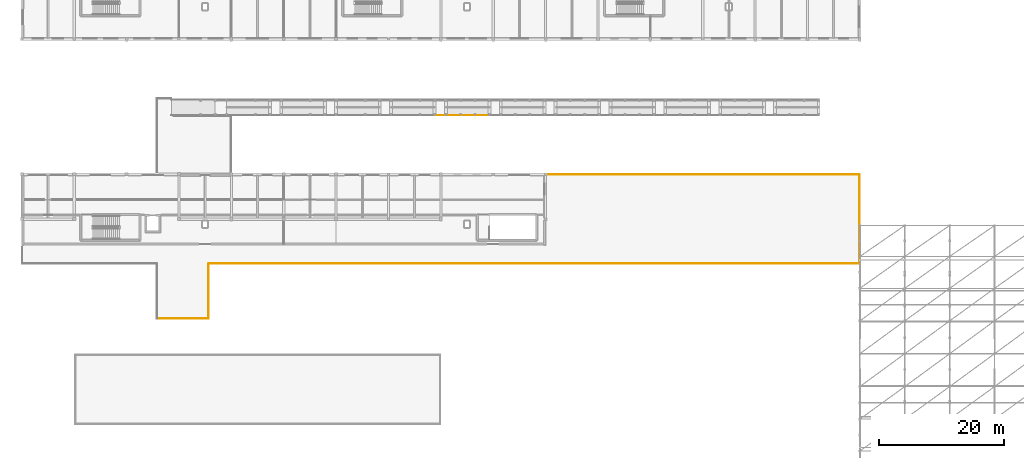
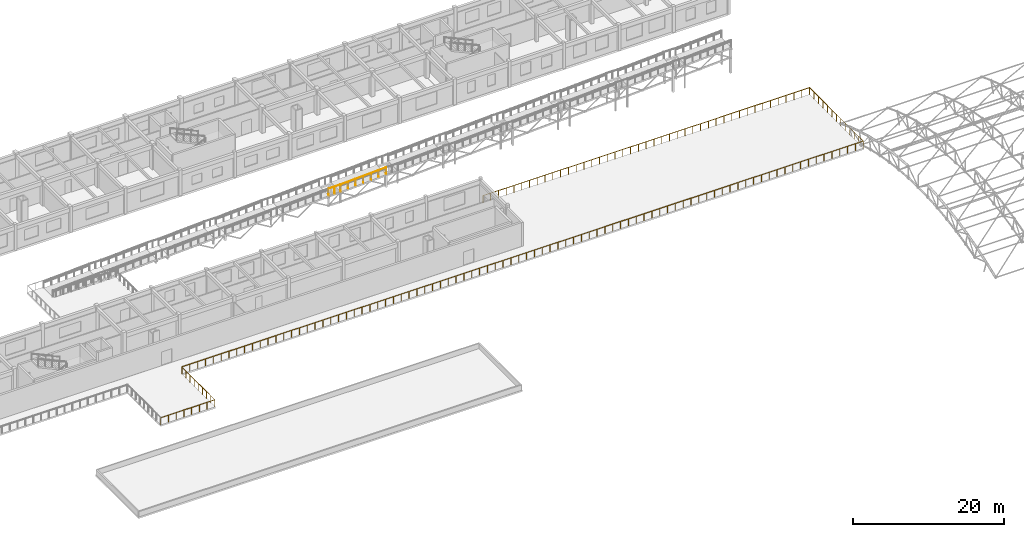
# One storey, part 37 of 41: 3 railings.
"""IFC4 building model written with IfcOpenShell, lengths in metres."""

import ifcopenshell
import ifcopenshell.guid

model = None  # the IFC model being written
_history = None  # IfcOwnerHistory: only IFC2X3 demands one
_inside = {}  # id of a spatial element -> (the spatial element, [elements in it])
_under = {}  # id of a project, library or spatial element -> (it, [spatial elements below it])
_declared = {}  # id of a project -> (the project, [libraries it declares])
_typed = {}  # id of a type object -> (the type object, [elements of that type])
_made_of = {}  # id of a material, layer set ... -> (it, [elements and type objects made of it])


def new_model(schema):
    """Start an empty IFC model of exactly this schema.

    Asked for "IFC4X3", IfcOpenShell would pick the latest addendum, in which some entities
    have other attributes; the version numbers below select the first issue.
    IFC2X3 requires an IfcOwnerHistory on every rooted entity: one is made here for all.
    """
    global model, _history
    if schema == "IFC4X3":
        model = ifcopenshell.file(schema_version=(4, 3, 0, 0))
    else:
        model = ifcopenshell.file(schema=schema)
    _inside.clear()
    _under.clear()
    _declared.clear()
    _typed.clear()
    _made_of.clear()
    _history = None
    if model.schema == "IFC2X3":
        org = make("IfcOrganization", Name="unknown")
        user = make(
            "IfcPersonAndOrganization",
            ThePerson=make("IfcPerson", FamilyName="unknown"),
            TheOrganization=org,
        )
        app = make(
            "IfcApplication",
            ApplicationDeveloper=org,
            Version="unknown",
            ApplicationFullName="unknown",
            ApplicationIdentifier="unknown",
        )
        _history = make(
            "IfcOwnerHistory",
            OwningUser=user,
            OwningApplication=app,
            ChangeAction="ADDED",
            CreationDate=0,
        )
    return model


def make(cls, **values):
    """One entity of the class cls with the attributes given. An attribute that is None is left unset."""
    return model.create_entity(
        cls, **{name: value for name, value in values.items() if value is not None}
    )


def rooted(cls, **values):
    """An entity with a GlobalId (a new one), such as an element, a storey or a relation."""
    return make(cls, GlobalId=ifcopenshell.guid.new(), OwnerHistory=_history, **values)


def si_unit(unit_type, name, prefix=None):
    """IfcSIUnit, for example si_unit("LENGTHUNIT", "METRE", prefix="MILLI")."""
    return make("IfcSIUnit", UnitType=unit_type, Prefix=prefix, Name=name)


def assignment(units):
    """IfcUnitAssignment: the units of a project."""
    return None if units is None else make("IfcUnitAssignment", Units=units)


def point(xyz):
    """IfcCartesianPoint."""
    return None if xyz is None else make("IfcCartesianPoint", Coordinates=xyz)


def direction(xyz):
    """IfcDirection."""
    return None if xyz is None else make("IfcDirection", DirectionRatios=xyz)


def frame(location, z_axis=None, x_axis=None):
    """IfcAxis2Placement3D, a coordinate frame: its origin and axes. An axis left out is left unset."""
    return make(
        "IfcAxis2Placement3D",
        Location=point(location),
        Axis=direction(z_axis),
        RefDirection=direction(x_axis),
    )


def frame_2d(location, x_axis=None):
    """IfcAxis2Placement2D, a coordinate frame in the plane: its origin and x axis."""
    return make(
        "IfcAxis2Placement2D", Location=point(location), RefDirection=direction(x_axis)
    )


def origin():
    """The frame at (0, 0, 0) with its axes left unset."""
    return frame((0.0, 0.0, 0.0))


def origin_2d():
    """The frame at (0, 0) in the plane with its x axis left unset."""
    return frame_2d((0.0, 0.0))


def place(relative_to, where):
    """IfcLocalPlacement: puts the frame where relative to a parent placement (None: the world)."""
    return make(
        "IfcLocalPlacement", PlacementRelTo=relative_to, RelativePlacement=where
    )


def context(
    kind, dimensions, precision=None, world=None, true_north=None, identifier=None
):
    """IfcGeometricRepresentationContext, for example the 3D "Model" context."""
    return make(
        "IfcGeometricRepresentationContext",
        ContextIdentifier=identifier,
        ContextType=kind,
        CoordinateSpaceDimension=dimensions,
        Precision=precision,
        WorldCoordinateSystem=world,
        TrueNorth=true_north,
    )


def subcontext(parent, identifier, kind, view, scale=None):
    """IfcGeometricRepresentationSubContext, for example "Body" below "Model"."""
    return make(
        "IfcGeometricRepresentationSubContext",
        ContextIdentifier=identifier,
        ContextType=kind,
        ParentContext=parent,
        TargetScale=scale,
        TargetView=view,
    )


def project(units=None, contexts=None):
    """IfcProject with its units and contexts."""
    return rooted(
        "IfcProject",
        Name="project",
        RepresentationContexts=contexts,
        UnitsInContext=assignment(units),
    )


def spatial(cls, under=None, at=None, **own):
    """A site, building, storey or space (cls), placed at a placement, below another one or the project."""
    s = rooted(cls, ObjectPlacement=at, **own)
    if under is not None:
        _under.setdefault(under.id(), (under, []))[1].append(s)
    return s


def profile(cls, at=None, kind="AREA", **sizes):
    """A parametric profile (cls). Its sizes go by their IFC names, for example OverallWidth=200.0."""
    return make(cls, ProfileType=kind, Position=at, **sizes)


def circle(**sizes):
    """IfcCircleProfileDef."""
    return profile("IfcCircleProfileDef", **sizes)


def extrude(swept, where, along, depth):
    """IfcExtrudedAreaSolid: the profile swept, set in the frame where, extruded along a direction by depth."""
    return make(
        "IfcExtrudedAreaSolid",
        SweptArea=swept,
        Position=where,
        ExtrudedDirection=direction(along),
        Depth=depth,
    )


def shape(context_of_items, identifier, shape_type, items):
    """IfcShapeRepresentation: the items that make up one representation, for example the "Body"."""
    return make(
        "IfcShapeRepresentation",
        ContextOfItems=context_of_items,
        RepresentationIdentifier=identifier,
        RepresentationType=shape_type,
        Items=items,
    )


def material(Name=None, Category=None):
    """IfcMaterial."""
    return make("IfcMaterial", Name=Name, Category=Category)


def layer(
    of_material, thickness, ventilated=None, Name=None, Category=None, Priority=None
):
    """IfcMaterialLayer: one layer of a wall or slab, of a material (None: an air gap)."""
    return make(
        "IfcMaterialLayer",
        Material=of_material,
        LayerThickness=thickness,
        IsVentilated=ventilated,
        Name=Name,
        Category=Category,
        Priority=Priority,
    )


def layer_set(layers, Name=None):
    """IfcMaterialLayerSet."""
    return make("IfcMaterialLayerSet", MaterialLayers=layers, LayerSetName=Name)


def made_of(thing, what):
    """Note that an element or type object is made of a material, layer set ...; save() writes the relation."""
    if what is not None:
        _made_of.setdefault(what.id(), (what, []))[1].append(thing)
    return thing


def type_object(cls, material=None, **own):
    """A type object (cls), such as IfcWallType, which elements share."""
    return made_of(rooted(cls, **own), material)


def element(
    cls,
    number,
    at=None,
    inside=None,
    cuts=None,
    type_object=None,
    material=None,
    context=None,
    identifier="Body",
    shape_type=None,
    held_by="IfcProductDefinitionShape",
    body=None,
    shapes=None,
    **own,
):
    """One element of the class cls, such as IfcWall. Its Tag is "e" and its number.

    at: its placement. inside: the storey or other place that contains it. cuts: it is an
    opening in that element (IfcRelVoidsElement). A single representation is given by context,
    identifier, shape_type and body (its items); several are given by shapes. held_by: the class
    of the entity that holds the representations. save() writes the other relations.
    """
    e = rooted(cls, Tag="e%d" % number, ObjectPlacement=at, **own)
    if body is not None:
        shapes = [shape(context, identifier, shape_type, body)]
    if shapes is not None:
        e.Representation = make(held_by, Representations=shapes)
    if inside is not None:
        _inside.setdefault(inside.id(), (inside, []))[1].append(e)
    if cuts is not None:
        rooted(
            "IfcRelVoidsElement", RelatingBuildingElement=cuts, RelatedOpeningElement=e
        )
    if type_object is not None:
        _typed.setdefault(type_object.id(), (type_object, []))[1].append(e)
    return made_of(e, material)


def aggregate(whole, parts):
    """IfcRelAggregates: a whole, such as a stair, and the parts it consists of."""
    return rooted("IfcRelAggregates", RelatingObject=whole, RelatedObjects=parts)


def save(model, path):
    """Write the relations noted so far, then the file.

    IfcRelAggregates (storeys below a building ...), IfcRelContainedInSpatialStructure (elements
    in a storey), IfcRelDefinesByType, IfcRelAssociatesMaterial and IfcRelDeclares: one each for
    every whole, place, type object, material and project.
    """
    for whole, parts in _under.values():
        aggregate(whole, parts)
    for where, things in _inside.values():
        rooted(
            "IfcRelContainedInSpatialStructure",
            RelatedElements=things,
            RelatingStructure=where,
        )
    for kind, things in _typed.values():
        rooted("IfcRelDefinesByType", RelatedObjects=things, RelatingType=kind)
    for what, things in _made_of.values():
        rooted("IfcRelAssociatesMaterial", RelatedObjects=things, RelatingMaterial=what)
    for by, libraries in _declared.values():
        rooted("IfcRelDeclares", RelatingContext=by, RelatedDefinitions=libraries)
    model.write(path)


model = new_model("IFC4")

# Units and contexts
model_context = context("Model", 3, precision=1e-05, world=origin(), true_north=direction((0.0, 1.0)))
body_context = subcontext(model_context, "Body", "Model", "MODEL_VIEW")
ifc_project = project(units=[si_unit("LENGTHUNIT", "METRE"), si_unit("AREAUNIT", "SQUARE_METRE"), si_unit("VOLUMEUNIT", "CUBIC_METRE"), si_unit("PLANEANGLEUNIT", "RADIAN"), si_unit("MASSUNIT", "GRAM", prefix="KILO")], contexts=[model_context])

# Site, building, storey
site_placement = place(None, origin())
site = spatial("IfcSite", under=ifc_project, at=site_placement, CompositionType="ELEMENT")
building_placement = place(site_placement, origin())
building = spatial("IfcBuilding", under=site, at=building_placement, Name="Malvenik Polytechnic", CompositionType="ELEMENT")
storey_placement = place(building_placement, frame((0.0, 0.0, 17.699951171875)))
storey = spatial("IfcBuildingStorey", under=building, at=storey_placement, Name="L04", CompositionType="ELEMENT", Elevation=17.699951171875)

# Railings
ifc_material = material(Name="Galvanised powder-coated steel and laminated glass guard 1150mm", Category="steel")
ifc_layer = layer(ifc_material, 0.070068359375)
ifc_layer_set = layer_set([ifc_layer], Name="Galvanised powder-coated steel and laminated glass guard 1150mm")
railing_type = type_object("IfcRailingType", Name="ARC-RL-BAL-1150", PredefinedType="BALUSTRADE", material=ifc_layer_set)
railing_1_placement = place(storey_placement, frame((66.199951171875, 103.06005859375, 1.75)))
element("IfcRailing", 1, at=railing_1_placement, inside=storey, type_object=railing_type, Name="Ramp Landing Balustrade RB-03 #5S", PredefinedType="BALUSTRADE", context=body_context, shape_type="SweptSolid", body=[
    extrude(circle(Radius=0.02392578125, at=origin_2d()), frame((0.0, 0.0, 1.1259765625), z_axis=(1.0, 0.0, 0.0), x_axis=(0.0, 1.0, 0.0)), (0.0, 0.0, 1.0), 1.800048828125),
    extrude(circle(Radius=0.02099609375, at=origin_2d()), origin(), (0.0, 0.0, 1.0), 1.101806640625),
    extrude(circle(Radius=0.02099609375, at=origin_2d()), frame((0.89990234375, 0.0, 0.0)), (0.0, 0.0, 1.0), 1.101806640625),
    extrude(circle(Radius=0.02099609375, at=origin_2d()), frame((1.800048828125, 0.0, 0.0)), (0.0, 0.0, 1.0), 1.101806640625),
])
railing_2_placement = place(storey_placement, frame((68.0, 103.06005859375, 1.75)))
element("IfcRailing", 2, at=railing_2_placement, inside=storey, type_object=railing_type, Name="Ramp Balustrade RB-03 #6S", PredefinedType="BALUSTRADE", context=body_context, shape_type="SweptSolid", body=[
    extrude(circle(Radius=0.02392578125, at=origin_2d()), frame((0.0, 0.0, 1.1259765625), z_axis=(0.998751643845, 0.0, 0.049951515669), x_axis=(0.0, 1.0, 0.0)), (0.0, 0.0, 1.0), 7.0087890625),
    extrude(circle(Radius=0.02099609375, at=origin_2d()), origin(), (0.0, 0.0, 1.0), 1.101806640625),
    extrude(circle(Radius=0.02099609375, at=origin_2d()), frame((1.166748046875, 0.0, 0.058349609375)), (0.0, 0.0, 1.0), 1.101806640625),
    extrude(circle(Radius=0.02099609375, at=origin_2d()), frame((2.333251953125, 0.0, 0.11669921875)), (0.0, 0.0, 1.0), 1.101806640625),
    extrude(circle(Radius=0.02099609375, at=origin_2d()), frame((3.5, 0.0, 0.175048828125)), (0.0, 0.0, 1.0), 1.101806640625),
    extrude(circle(Radius=0.02099609375, at=origin_2d()), frame((4.666748046875, 0.0, 0.2333984375)), (0.0, 0.0, 1.0), 1.101806640625),
    extrude(circle(Radius=0.02099609375, at=origin_2d()), frame((5.833251953125, 0.0, 0.291748046875)), (0.0, 0.0, 1.0), 1.101806640625),
    extrude(circle(Radius=0.02099609375, at=origin_2d()), frame((7.0, 0.0, 0.35009765625)), (0.0, 0.0, 1.0), 1.101806640625),
])
railing_3_placement = place(storey_placement, frame((84.320068359375, 93.5400390625, 0.0)))
element("IfcRailing", 3, at=railing_3_placement, inside=storey, type_object=railing_type, Name="Terrace Perimeter Balustrade L04 #17", PredefinedType="BALUSTRADE", context=body_context, shape_type="SweptSolid", body=[
    extrude(circle(Radius=0.02392578125, at=origin_2d()), frame((0.0, 0.0, 1.1259765625), z_axis=(1.0, 0.0, 0.0), x_axis=(0.0, 1.0, 0.0)), (0.0, 0.0, 1.0), 50.02001953125),
    extrude(circle(Radius=0.02392578125, at=origin_2d()), frame((50.02001953125, 0.0, 1.1259765625), z_axis=(0.0, -1.0, 0.0), x_axis=(1.0, 0.0, 0.0)), (0.0, 0.0, 1.0), 14.280029296875),
    extrude(circle(Radius=0.02392578125, at=origin_2d()), frame((50.02001953125, -14.280029296875, 1.1259765625), z_axis=(-1.0, 0.0, 0.0), x_axis=(0.0, -1.0, 0.0)), (0.0, 0.0, 1.0), 104.340087890625),
    extrude(circle(Radius=0.02392578125, at=origin_2d()), frame((-54.320068359375, -14.280029296875, 1.1259765625), z_axis=(-0.999133073092, -0.041630544712, 0.0), x_axis=(0.041630544712, -0.999133073092, 0.0)), (0.0, 0.0, 1.0), 0.005859375),
    extrude(circle(Radius=0.02392578125, at=origin_2d()), frame((-54.325927734375, -14.2802734375, 1.1259765625), z_axis=(-0.986393923832, -0.164398987305, 0.0), x_axis=(0.164398987305, -0.986393923832, 0.0)), (0.0, 0.0, 1.0), 0.005859375),
    extrude(circle(Radius=0.02392578125, at=origin_2d()), frame((-54.331787109375, -14.28125, 1.1259765625), z_axis=(-0.967617272397, -0.252421897147, 0.0), x_axis=(0.252421897147, -0.967617272397, 0.0)), (0.0, 0.0, 1.0), 0.005859375),
    extrude(circle(Radius=0.02392578125, at=origin_2d()), frame((-54.33740234375, -14.28271484375, 1.1259765625), z_axis=(-0.944496796706, -0.328520624941, 0.0), x_axis=(0.328520624941, -0.944496796706, 0.0)), (0.0, 0.0, 1.0), 0.005859375),
    extrude(circle(Radius=0.02392578125, at=origin_2d()), frame((-54.343017578125, -14.28466796875, 1.1259765625), z_axis=(-0.910366477463, -0.413802944301, 0.0), x_axis=(0.413802944301, -0.910366477463, 0.0)), (0.0, 0.0, 1.0), 0.005859375),
    extrude(circle(Radius=0.02392578125, at=origin_2d()), frame((-54.348388671875, -14.287109375, 1.1259765625), z_axis=(-0.857492925713, -0.514495755428, 0.0), x_axis=(0.514495755428, -0.857492925713, 0.0)), (0.0, 0.0, 1.0), 0.005615234375),
    extrude(circle(Radius=0.02392578125, at=origin_2d()), frame((-54.353271484375, -14.2900390625, 1.1259765625), z_axis=(-0.8, -0.6, 0.0), x_axis=(0.6, -0.8, 0.0)), (0.0, 0.0, 1.0), 0.006103515625),
    extrude(circle(Radius=0.02392578125, at=origin_2d()), frame((-54.358154296875, -14.293701171875, 1.1259765625), z_axis=(-0.747409318684, -0.66436383883, 0.0), x_axis=(0.66436383883, -0.747409318684, 0.0)), (0.0, 0.0, 1.0), 0.005859375),
    extrude(circle(Radius=0.02392578125, at=origin_2d()), frame((-54.362548828125, -14.297607421875, 1.1259765625), z_axis=(-0.66436383883, -0.747409318684, 0.0), x_axis=(0.747409318684, -0.66436383883, 0.0)), (0.0, 0.0, 1.0), 0.005859375),
    extrude(circle(Radius=0.02392578125, at=origin_2d()), frame((-54.366455078125, -14.302001953125, 1.1259765625), z_axis=(-0.59319903805, -0.805055837353, 0.0), x_axis=(0.805055837353, -0.59319903805, 0.0)), (0.0, 0.0, 1.0), 0.005859375),
    extrude(circle(Radius=0.02392578125, at=origin_2d()), frame((-54.369873046875, -14.306640625, 1.1259765625), z_axis=(-0.526354614616, -0.850265146688, 0.0), x_axis=(0.850265146688, -0.526354614616, 0.0)), (0.0, 0.0, 1.0), 0.006103515625),
    extrude(circle(Radius=0.02392578125, at=origin_2d()), frame((-54.373046875, -14.311767578125, 1.1259765625), z_axis=(-0.413802944301, -0.910366477463, 0.0), x_axis=(0.910366477463, -0.413802944301, 0.0)), (0.0, 0.0, 1.0), 0.005859375),
    extrude(circle(Radius=0.02392578125, at=origin_2d()), frame((-54.37548828125, -14.317138671875, 1.1259765625), z_axis=(-0.328520624941, -0.944496796706, 0.0), x_axis=(0.944496796706, -0.328520624941, 0.0)), (0.0, 0.0, 1.0), 0.005859375),
    extrude(circle(Radius=0.02392578125, at=origin_2d()), frame((-54.37744140625, -14.32275390625, 1.1259765625), z_axis=(-0.252421897147, -0.967617272397, 0.0), x_axis=(0.967617272397, -0.252421897147, 0.0)), (0.0, 0.0, 1.0), 0.005859375),
    extrude(circle(Radius=0.02392578125, at=origin_2d()), frame((-54.37890625, -14.328369140625, 1.1259765625), z_axis=(-0.164398987305, -0.986393923832, 0.0), x_axis=(0.986393923832, -0.164398987305, 0.0)), (0.0, 0.0, 1.0), 0.005859375),
    extrude(circle(Radius=0.02392578125, at=origin_2d()), frame((-54.3798828125, -14.334228515625, 1.1259765625), z_axis=(-0.041630544712, -0.999133073092, 0.0), x_axis=(0.999133073092, -0.041630544712, 0.0)), (0.0, 0.0, 1.0), 0.005859375),
    extrude(circle(Radius=0.02392578125, at=origin_2d()), frame((-54.380126953125, -14.340087890625, 1.1259765625), z_axis=(0.0, -1.0, 0.0), x_axis=(1.0, 0.0, 0.0)), (0.0, 0.0, 1.0), 8.739990234375),
    extrude(circle(Radius=0.02392578125, at=origin_2d()), frame((-54.380126953125, -23.080078125, 1.1259765625), z_axis=(-1.0, 0.0, 0.0), x_axis=(0.0, -1.0, 0.0)), (0.0, 0.0, 1.0), 8.280029296875),
    extrude(circle(Radius=0.02099609375, at=origin_2d()), origin(), (0.0, 0.0, 1.0), 1.101806640625),
    extrude(circle(Radius=0.02099609375, at=origin_2d()), frame((1.19091796875, 0.0, 0.0)), (0.0, 0.0, 1.0), 1.101806640625),
    extrude(circle(Radius=0.02099609375, at=origin_2d()), frame((2.3818359375, 0.0, 0.0)), (0.0, 0.0, 1.0), 1.101806640625),
    extrude(circle(Radius=0.02099609375, at=origin_2d()), frame((3.57275390625, 0.0, 0.0)), (0.0, 0.0, 1.0), 1.101806640625),
    extrude(circle(Radius=0.02099609375, at=origin_2d()), frame((4.763916015625, 0.0, 0.0)), (0.0, 0.0, 1.0), 1.101806640625),
    extrude(circle(Radius=0.02099609375, at=origin_2d()), frame((5.954833984375, 0.0, 0.0)), (0.0, 0.0, 1.0), 1.101806640625),
    extrude(circle(Radius=0.02099609375, at=origin_2d()), frame((7.145751953125, 0.0, 0.0)), (0.0, 0.0, 1.0), 1.101806640625),
    extrude(circle(Radius=0.02099609375, at=origin_2d()), frame((8.336669921875, 0.0, 0.0)), (0.0, 0.0, 1.0), 1.101806640625),
    extrude(circle(Radius=0.02099609375, at=origin_2d()), frame((9.527587890625, 0.0, 0.0)), (0.0, 0.0, 1.0), 1.101806640625),
    extrude(circle(Radius=0.02099609375, at=origin_2d()), frame((10.718505859375, 0.0, 0.0)), (0.0, 0.0, 1.0), 1.101806640625),
    extrude(circle(Radius=0.02099609375, at=origin_2d()), frame((11.909423828125, 0.0, 0.0)), (0.0, 0.0, 1.0), 1.101806640625),
    extrude(circle(Radius=0.02099609375, at=origin_2d()), frame((13.1005859375, 0.0, 0.0)), (0.0, 0.0, 1.0), 1.101806640625),
    extrude(circle(Radius=0.02099609375, at=origin_2d()), frame((14.29150390625, 0.0, 0.0)), (0.0, 0.0, 1.0), 1.101806640625),
    extrude(circle(Radius=0.02099609375, at=origin_2d()), frame((15.482421875, 0.0, 0.0)), (0.0, 0.0, 1.0), 1.101806640625),
    extrude(circle(Radius=0.02099609375, at=origin_2d()), frame((16.67333984375, 0.0, 0.0)), (0.0, 0.0, 1.0), 1.101806640625),
    extrude(circle(Radius=0.02099609375, at=origin_2d()), frame((17.8642578125, 0.0, 0.0)), (0.0, 0.0, 1.0), 1.101806640625),
    extrude(circle(Radius=0.02099609375, at=origin_2d()), frame((19.05517578125, 0.0, 0.0)), (0.0, 0.0, 1.0), 1.101806640625),
    extrude(circle(Radius=0.02099609375, at=origin_2d()), frame((20.24609375, 0.0, 0.0)), (0.0, 0.0, 1.0), 1.101806640625),
    extrude(circle(Radius=0.02099609375, at=origin_2d()), frame((21.437255859375, 0.0, 0.0)), (0.0, 0.0, 1.0), 1.101806640625),
    extrude(circle(Radius=0.02099609375, at=origin_2d()), frame((22.628173828125, 0.0, 0.0)), (0.0, 0.0, 1.0), 1.101806640625),
    extrude(circle(Radius=0.02099609375, at=origin_2d()), frame((23.819091796875, 0.0, 0.0)), (0.0, 0.0, 1.0), 1.101806640625),
    extrude(circle(Radius=0.02099609375, at=origin_2d()), frame((25.010009765625, 0.0, 0.0)), (0.0, 0.0, 1.0), 1.101806640625),
    extrude(circle(Radius=0.02099609375, at=origin_2d()), frame((26.200927734375, 0.0, 0.0)), (0.0, 0.0, 1.0), 1.101806640625),
    extrude(circle(Radius=0.02099609375, at=origin_2d()), frame((27.391845703125, 0.0, 0.0)), (0.0, 0.0, 1.0), 1.101806640625),
    extrude(circle(Radius=0.02099609375, at=origin_2d()), frame((28.582763671875, 0.0, 0.0)), (0.0, 0.0, 1.0), 1.101806640625),
    extrude(circle(Radius=0.02099609375, at=origin_2d()), frame((29.77392578125, 0.0, 0.0)), (0.0, 0.0, 1.0), 1.101806640625),
    extrude(circle(Radius=0.02099609375, at=origin_2d()), frame((30.96484375, 0.0, 0.0)), (0.0, 0.0, 1.0), 1.101806640625),
    extrude(circle(Radius=0.02099609375, at=origin_2d()), frame((32.15576171875, 0.0, 0.0)), (0.0, 0.0, 1.0), 1.101806640625),
    extrude(circle(Radius=0.02099609375, at=origin_2d()), frame((33.3466796875, 0.0, 0.0)), (0.0, 0.0, 1.0), 1.101806640625),
    extrude(circle(Radius=0.02099609375, at=origin_2d()), frame((34.53759765625, 0.0, 0.0)), (0.0, 0.0, 1.0), 1.101806640625),
    extrude(circle(Radius=0.02099609375, at=origin_2d()), frame((35.728515625, 0.0, 0.0)), (0.0, 0.0, 1.0), 1.101806640625),
    extrude(circle(Radius=0.02099609375, at=origin_2d()), frame((36.91943359375, 0.0, 0.0)), (0.0, 0.0, 1.0), 1.101806640625),
    extrude(circle(Radius=0.02099609375, at=origin_2d()), frame((38.110595703125, 0.0, 0.0)), (0.0, 0.0, 1.0), 1.101806640625),
    extrude(circle(Radius=0.02099609375, at=origin_2d()), frame((39.301513671875, 0.0, 0.0)), (0.0, 0.0, 1.0), 1.101806640625),
    extrude(circle(Radius=0.02099609375, at=origin_2d()), frame((40.492431640625, 0.0, 0.0)), (0.0, 0.0, 1.0), 1.101806640625),
    extrude(circle(Radius=0.02099609375, at=origin_2d()), frame((41.683349609375, 0.0, 0.0)), (0.0, 0.0, 1.0), 1.101806640625),
    extrude(circle(Radius=0.02099609375, at=origin_2d()), frame((42.874267578125, 0.0, 0.0)), (0.0, 0.0, 1.0), 1.101806640625),
    extrude(circle(Radius=0.02099609375, at=origin_2d()), frame((44.065185546875, 0.0, 0.0)), (0.0, 0.0, 1.0), 1.101806640625),
    extrude(circle(Radius=0.02099609375, at=origin_2d()), frame((45.256103515625, 0.0, 0.0)), (0.0, 0.0, 1.0), 1.101806640625),
    extrude(circle(Radius=0.02099609375, at=origin_2d()), frame((46.447265625, 0.0, 0.0)), (0.0, 0.0, 1.0), 1.101806640625),
    extrude(circle(Radius=0.02099609375, at=origin_2d()), frame((47.63818359375, 0.0, 0.0)), (0.0, 0.0, 1.0), 1.101806640625),
    extrude(circle(Radius=0.02099609375, at=origin_2d()), frame((48.8291015625, 0.0, 0.0)), (0.0, 0.0, 1.0), 1.101806640625),
    extrude(circle(Radius=0.02099609375, at=origin_2d()), frame((50.02001953125, 0.0, 0.0)), (0.0, 0.0, 1.0), 1.101806640625),
    extrude(circle(Radius=0.02099609375, at=origin_2d()), frame((50.02001953125, -1.18994140625, 0.0)), (0.0, 0.0, 1.0), 1.101806640625),
    extrude(circle(Radius=0.02099609375, at=origin_2d()), frame((50.02001953125, -2.3798828125, 0.0)), (0.0, 0.0, 1.0), 1.101806640625),
    extrude(circle(Radius=0.02099609375, at=origin_2d()), frame((50.02001953125, -3.570068359375, 0.0)), (0.0, 0.0, 1.0), 1.101806640625),
    extrude(circle(Radius=0.02099609375, at=origin_2d()), frame((50.02001953125, -4.760009765625, 0.0)), (0.0, 0.0, 1.0), 1.101806640625),
    extrude(circle(Radius=0.02099609375, at=origin_2d()), frame((50.02001953125, -5.949951171875, 0.0)), (0.0, 0.0, 1.0), 1.101806640625),
    extrude(circle(Radius=0.02099609375, at=origin_2d()), frame((50.02001953125, -7.14013671875, 0.0)), (0.0, 0.0, 1.0), 1.101806640625),
    extrude(circle(Radius=0.02099609375, at=origin_2d()), frame((50.02001953125, -8.330078125, 0.0)), (0.0, 0.0, 1.0), 1.101806640625),
    extrude(circle(Radius=0.02099609375, at=origin_2d()), frame((50.02001953125, -9.52001953125, 0.0)), (0.0, 0.0, 1.0), 1.101806640625),
    extrude(circle(Radius=0.02099609375, at=origin_2d()), frame((50.02001953125, -10.7099609375, 0.0)), (0.0, 0.0, 1.0), 1.101806640625),
    extrude(circle(Radius=0.02099609375, at=origin_2d()), frame((50.02001953125, -11.89990234375, 0.0)), (0.0, 0.0, 1.0), 1.101806640625),
    extrude(circle(Radius=0.02099609375, at=origin_2d()), frame((50.02001953125, -13.090087890625, 0.0)), (0.0, 0.0, 1.0), 1.101806640625),
    extrude(circle(Radius=0.02099609375, at=origin_2d()), frame((50.02001953125, -14.280029296875, 0.0)), (0.0, 0.0, 1.0), 1.101806640625),
    extrude(circle(Radius=0.02099609375, at=origin_2d()), frame((48.82080078125, -14.280029296875, 0.0)), (0.0, 0.0, 1.0), 1.101806640625),
    extrude(circle(Radius=0.02099609375, at=origin_2d()), frame((47.621337890625, -14.280029296875, 0.0)), (0.0, 0.0, 1.0), 1.101806640625),
    extrude(circle(Radius=0.02099609375, at=origin_2d()), frame((46.422119140625, -14.280029296875, 0.0)), (0.0, 0.0, 1.0), 1.101806640625),
    extrude(circle(Radius=0.02099609375, at=origin_2d()), frame((45.22265625, -14.280029296875, 0.0)), (0.0, 0.0, 1.0), 1.101806640625),
    extrude(circle(Radius=0.02099609375, at=origin_2d()), frame((44.0234375, -14.280029296875, 0.0)), (0.0, 0.0, 1.0), 1.101806640625),
    extrude(circle(Radius=0.02099609375, at=origin_2d()), frame((42.82421875, -14.280029296875, 0.0)), (0.0, 0.0, 1.0), 1.101806640625),
    extrude(circle(Radius=0.02099609375, at=origin_2d()), frame((41.624755859375, -14.280029296875, 0.0)), (0.0, 0.0, 1.0), 1.101806640625),
    extrude(circle(Radius=0.02099609375, at=origin_2d()), frame((40.425537109375, -14.280029296875, 0.0)), (0.0, 0.0, 1.0), 1.101806640625),
    extrude(circle(Radius=0.02099609375, at=origin_2d()), frame((39.226318359375, -14.280029296875, 0.0)), (0.0, 0.0, 1.0), 1.101806640625),
    extrude(circle(Radius=0.02099609375, at=origin_2d()), frame((38.02685546875, -14.280029296875, 0.0)), (0.0, 0.0, 1.0), 1.101806640625),
    extrude(circle(Radius=0.02099609375, at=origin_2d()), frame((36.82763671875, -14.280029296875, 0.0)), (0.0, 0.0, 1.0), 1.101806640625),
    extrude(circle(Radius=0.02099609375, at=origin_2d()), frame((35.628173828125, -14.280029296875, 0.0)), (0.0, 0.0, 1.0), 1.101806640625),
    extrude(circle(Radius=0.02099609375, at=origin_2d()), frame((34.428955078125, -14.280029296875, 0.0)), (0.0, 0.0, 1.0), 1.101806640625),
    extrude(circle(Radius=0.02099609375, at=origin_2d()), frame((33.229736328125, -14.280029296875, 0.0)), (0.0, 0.0, 1.0), 1.101806640625),
    extrude(circle(Radius=0.02099609375, at=origin_2d()), frame((32.0302734375, -14.280029296875, 0.0)), (0.0, 0.0, 1.0), 1.101806640625),
    extrude(circle(Radius=0.02099609375, at=origin_2d()), frame((30.8310546875, -14.280029296875, 0.0)), (0.0, 0.0, 1.0), 1.101806640625),
    extrude(circle(Radius=0.02099609375, at=origin_2d()), frame((29.6318359375, -14.280029296875, 0.0)), (0.0, 0.0, 1.0), 1.101806640625),
    extrude(circle(Radius=0.02099609375, at=origin_2d()), frame((28.432373046875, -14.280029296875, 0.0)), (0.0, 0.0, 1.0), 1.101806640625),
    extrude(circle(Radius=0.02099609375, at=origin_2d()), frame((27.233154296875, -14.280029296875, 0.0)), (0.0, 0.0, 1.0), 1.101806640625),
    extrude(circle(Radius=0.02099609375, at=origin_2d()), frame((26.03369140625, -14.280029296875, 0.0)), (0.0, 0.0, 1.0), 1.101806640625),
    extrude(circle(Radius=0.02099609375, at=origin_2d()), frame((24.83447265625, -14.280029296875, 0.0)), (0.0, 0.0, 1.0), 1.101806640625),
    extrude(circle(Radius=0.02099609375, at=origin_2d()), frame((23.63525390625, -14.280029296875, 0.0)), (0.0, 0.0, 1.0), 1.101806640625),
    extrude(circle(Radius=0.02099609375, at=origin_2d()), frame((22.435791015625, -14.280029296875, 0.0)), (0.0, 0.0, 1.0), 1.101806640625),
    extrude(circle(Radius=0.02099609375, at=origin_2d()), frame((21.236572265625, -14.280029296875, 0.0)), (0.0, 0.0, 1.0), 1.101806640625),
    extrude(circle(Radius=0.02099609375, at=origin_2d()), frame((20.037353515625, -14.280029296875, 0.0)), (0.0, 0.0, 1.0), 1.101806640625),
    extrude(circle(Radius=0.02099609375, at=origin_2d()), frame((18.837890625, -14.280029296875, 0.0)), (0.0, 0.0, 1.0), 1.101806640625),
    extrude(circle(Radius=0.02099609375, at=origin_2d()), frame((17.638671875, -14.280029296875, 0.0)), (0.0, 0.0, 1.0), 1.101806640625),
    extrude(circle(Radius=0.02099609375, at=origin_2d()), frame((16.439208984375, -14.280029296875, 0.0)), (0.0, 0.0, 1.0), 1.101806640625),
    extrude(circle(Radius=0.02099609375, at=origin_2d()), frame((15.239990234375, -14.280029296875, 0.0)), (0.0, 0.0, 1.0), 1.101806640625),
    extrude(circle(Radius=0.02099609375, at=origin_2d()), frame((14.040771484375, -14.280029296875, 0.0)), (0.0, 0.0, 1.0), 1.101806640625),
    extrude(circle(Radius=0.02099609375, at=origin_2d()), frame((12.84130859375, -14.280029296875, 0.0)), (0.0, 0.0, 1.0), 1.101806640625),
    extrude(circle(Radius=0.02099609375, at=origin_2d()), frame((11.64208984375, -14.280029296875, 0.0)), (0.0, 0.0, 1.0), 1.101806640625),
    extrude(circle(Radius=0.02099609375, at=origin_2d()), frame((10.442626953125, -14.280029296875, 0.0)), (0.0, 0.0, 1.0), 1.101806640625),
    extrude(circle(Radius=0.02099609375, at=origin_2d()), frame((9.243408203125, -14.280029296875, 0.0)), (0.0, 0.0, 1.0), 1.101806640625),
    extrude(circle(Radius=0.02099609375, at=origin_2d()), frame((8.044189453125, -14.280029296875, 0.0)), (0.0, 0.0, 1.0), 1.101806640625),
    extrude(circle(Radius=0.02099609375, at=origin_2d()), frame((6.8447265625, -14.280029296875, 0.0)), (0.0, 0.0, 1.0), 1.101806640625),
    extrude(circle(Radius=0.02099609375, at=origin_2d()), frame((5.6455078125, -14.280029296875, 0.0)), (0.0, 0.0, 1.0), 1.101806640625),
    extrude(circle(Radius=0.02099609375, at=origin_2d()), frame((4.4462890625, -14.280029296875, 0.0)), (0.0, 0.0, 1.0), 1.101806640625),
    extrude(circle(Radius=0.02099609375, at=origin_2d()), frame((3.246826171875, -14.280029296875, 0.0)), (0.0, 0.0, 1.0), 1.101806640625),
    extrude(circle(Radius=0.02099609375, at=origin_2d()), frame((2.047607421875, -14.280029296875, 0.0)), (0.0, 0.0, 1.0), 1.101806640625),
    extrude(circle(Radius=0.02099609375, at=origin_2d()), frame((0.84814453125, -14.280029296875, 0.0)), (0.0, 0.0, 1.0), 1.101806640625),
    extrude(circle(Radius=0.02099609375, at=origin_2d()), frame((-0.35107421875, -14.280029296875, 0.0)), (0.0, 0.0, 1.0), 1.101806640625),
    extrude(circle(Radius=0.02099609375, at=origin_2d()), frame((-1.55029296875, -14.280029296875, 0.0)), (0.0, 0.0, 1.0), 1.101806640625),
    extrude(circle(Radius=0.02099609375, at=origin_2d()), frame((-2.749755859375, -14.280029296875, 0.0)), (0.0, 0.0, 1.0), 1.101806640625),
    extrude(circle(Radius=0.02099609375, at=origin_2d()), frame((-3.948974609375, -14.280029296875, 0.0)), (0.0, 0.0, 1.0), 1.101806640625),
    extrude(circle(Radius=0.02099609375, at=origin_2d()), frame((-5.148193359375, -14.280029296875, 0.0)), (0.0, 0.0, 1.0), 1.101806640625),
    extrude(circle(Radius=0.02099609375, at=origin_2d()), frame((-6.34765625, -14.280029296875, 0.0)), (0.0, 0.0, 1.0), 1.101806640625),
    extrude(circle(Radius=0.02099609375, at=origin_2d()), frame((-7.546875, -14.280029296875, 0.0)), (0.0, 0.0, 1.0), 1.101806640625),
    extrude(circle(Radius=0.02099609375, at=origin_2d()), frame((-8.746337890625, -14.280029296875, 0.0)), (0.0, 0.0, 1.0), 1.101806640625),
    extrude(circle(Radius=0.02099609375, at=origin_2d()), frame((-9.945556640625, -14.280029296875, 0.0)), (0.0, 0.0, 1.0), 1.101806640625),
    extrude(circle(Radius=0.02099609375, at=origin_2d()), frame((-11.144775390625, -14.280029296875, 0.0)), (0.0, 0.0, 1.0), 1.101806640625),
    extrude(circle(Radius=0.02099609375, at=origin_2d()), frame((-12.34423828125, -14.280029296875, 0.0)), (0.0, 0.0, 1.0), 1.101806640625),
    extrude(circle(Radius=0.02099609375, at=origin_2d()), frame((-13.54345703125, -14.280029296875, 0.0)), (0.0, 0.0, 1.0), 1.101806640625),
    extrude(circle(Radius=0.02099609375, at=origin_2d()), frame((-14.74267578125, -14.280029296875, 0.0)), (0.0, 0.0, 1.0), 1.101806640625),
    extrude(circle(Radius=0.02099609375, at=origin_2d()), frame((-15.942138671875, -14.280029296875, 0.0)), (0.0, 0.0, 1.0), 1.101806640625),
    extrude(circle(Radius=0.02099609375, at=origin_2d()), frame((-17.141357421875, -14.280029296875, 0.0)), (0.0, 0.0, 1.0), 1.101806640625),
    extrude(circle(Radius=0.02099609375, at=origin_2d()), frame((-18.3408203125, -14.280029296875, 0.0)), (0.0, 0.0, 1.0), 1.101806640625),
    extrude(circle(Radius=0.02099609375, at=origin_2d()), frame((-19.5400390625, -14.280029296875, 0.0)), (0.0, 0.0, 1.0), 1.101806640625),
    extrude(circle(Radius=0.02099609375, at=origin_2d()), frame((-20.7392578125, -14.280029296875, 0.0)), (0.0, 0.0, 1.0), 1.101806640625),
    extrude(circle(Radius=0.02099609375, at=origin_2d()), frame((-21.938720703125, -14.280029296875, 0.0)), (0.0, 0.0, 1.0), 1.101806640625),
    extrude(circle(Radius=0.02099609375, at=origin_2d()), frame((-23.137939453125, -14.280029296875, 0.0)), (0.0, 0.0, 1.0), 1.101806640625),
    extrude(circle(Radius=0.02099609375, at=origin_2d()), frame((-24.33740234375, -14.280029296875, 0.0)), (0.0, 0.0, 1.0), 1.101806640625),
    extrude(circle(Radius=0.02099609375, at=origin_2d()), frame((-25.53662109375, -14.280029296875, 0.0)), (0.0, 0.0, 1.0), 1.101806640625),
    extrude(circle(Radius=0.02099609375, at=origin_2d()), frame((-26.73583984375, -14.280029296875, 0.0)), (0.0, 0.0, 1.0), 1.101806640625),
    extrude(circle(Radius=0.02099609375, at=origin_2d()), frame((-27.935302734375, -14.280029296875, 0.0)), (0.0, 0.0, 1.0), 1.101806640625),
    extrude(circle(Radius=0.02099609375, at=origin_2d()), frame((-29.134521484375, -14.280029296875, 0.0)), (0.0, 0.0, 1.0), 1.101806640625),
    extrude(circle(Radius=0.02099609375, at=origin_2d()), frame((-30.333740234375, -14.280029296875, 0.0)), (0.0, 0.0, 1.0), 1.101806640625),
    extrude(circle(Radius=0.02099609375, at=origin_2d()), frame((-31.533203125, -14.280029296875, 0.0)), (0.0, 0.0, 1.0), 1.101806640625),
    extrude(circle(Radius=0.02099609375, at=origin_2d()), frame((-32.732421875, -14.280029296875, 0.0)), (0.0, 0.0, 1.0), 1.101806640625),
    extrude(circle(Radius=0.02099609375, at=origin_2d()), frame((-33.931884765625, -14.280029296875, 0.0)), (0.0, 0.0, 1.0), 1.101806640625),
    extrude(circle(Radius=0.02099609375, at=origin_2d()), frame((-35.131103515625, -14.280029296875, 0.0)), (0.0, 0.0, 1.0), 1.101806640625),
    extrude(circle(Radius=0.02099609375, at=origin_2d()), frame((-36.330322265625, -14.280029296875, 0.0)), (0.0, 0.0, 1.0), 1.101806640625),
    extrude(circle(Radius=0.02099609375, at=origin_2d()), frame((-37.52978515625, -14.280029296875, 0.0)), (0.0, 0.0, 1.0), 1.101806640625),
    extrude(circle(Radius=0.02099609375, at=origin_2d()), frame((-38.72900390625, -14.280029296875, 0.0)), (0.0, 0.0, 1.0), 1.101806640625),
    extrude(circle(Radius=0.02099609375, at=origin_2d()), frame((-39.92822265625, -14.280029296875, 0.0)), (0.0, 0.0, 1.0), 1.101806640625),
    extrude(circle(Radius=0.02099609375, at=origin_2d()), frame((-41.127685546875, -14.280029296875, 0.0)), (0.0, 0.0, 1.0), 1.101806640625),
    extrude(circle(Radius=0.02099609375, at=origin_2d()), frame((-42.326904296875, -14.280029296875, 0.0)), (0.0, 0.0, 1.0), 1.101806640625),
    extrude(circle(Radius=0.02099609375, at=origin_2d()), frame((-43.5263671875, -14.280029296875, 0.0)), (0.0, 0.0, 1.0), 1.101806640625),
    extrude(circle(Radius=0.02099609375, at=origin_2d()), frame((-44.7255859375, -14.280029296875, 0.0)), (0.0, 0.0, 1.0), 1.101806640625),
    extrude(circle(Radius=0.02099609375, at=origin_2d()), frame((-45.9248046875, -14.280029296875, 0.0)), (0.0, 0.0, 1.0), 1.101806640625),
    extrude(circle(Radius=0.02099609375, at=origin_2d()), frame((-47.124267578125, -14.280029296875, 0.0)), (0.0, 0.0, 1.0), 1.101806640625),
    extrude(circle(Radius=0.02099609375, at=origin_2d()), frame((-48.323486328125, -14.280029296875, 0.0)), (0.0, 0.0, 1.0), 1.101806640625),
    extrude(circle(Radius=0.02099609375, at=origin_2d()), frame((-49.522705078125, -14.280029296875, 0.0)), (0.0, 0.0, 1.0), 1.101806640625),
    extrude(circle(Radius=0.02099609375, at=origin_2d()), frame((-50.72216796875, -14.280029296875, 0.0)), (0.0, 0.0, 1.0), 1.101806640625),
    extrude(circle(Radius=0.02099609375, at=origin_2d()), frame((-51.92138671875, -14.280029296875, 0.0)), (0.0, 0.0, 1.0), 1.101806640625),
    extrude(circle(Radius=0.02099609375, at=origin_2d()), frame((-53.120849609375, -14.280029296875, 0.0)), (0.0, 0.0, 1.0), 1.101806640625),
    extrude(circle(Radius=0.02099609375, at=origin_2d()), frame((-54.320068359375, -14.280029296875, 0.0)), (0.0, 0.0, 1.0), 1.101806640625),
    extrude(circle(Radius=0.02099609375, at=origin_2d()), frame((-54.325927734375, -14.2802734375, 0.0)), (0.0, 0.0, 1.0), 1.101806640625),
    extrude(circle(Radius=0.02099609375, at=origin_2d()), frame((-54.331787109375, -14.28125, 0.0)), (0.0, 0.0, 1.0), 1.101806640625),
    extrude(circle(Radius=0.02099609375, at=origin_2d()), frame((-54.33740234375, -14.28271484375, 0.0)), (0.0, 0.0, 1.0), 1.101806640625),
    extrude(circle(Radius=0.02099609375, at=origin_2d()), frame((-54.343017578125, -14.28466796875, 0.0)), (0.0, 0.0, 1.0), 1.101806640625),
    extrude(circle(Radius=0.02099609375, at=origin_2d()), frame((-54.348388671875, -14.287109375, 0.0)), (0.0, 0.0, 1.0), 1.101806640625),
    extrude(circle(Radius=0.02099609375, at=origin_2d()), frame((-54.353271484375, -14.2900390625, 0.0)), (0.0, 0.0, 1.0), 1.101806640625),
    extrude(circle(Radius=0.02099609375, at=origin_2d()), frame((-54.358154296875, -14.293701171875, 0.0)), (0.0, 0.0, 1.0), 1.101806640625),
    extrude(circle(Radius=0.02099609375, at=origin_2d()), frame((-54.362548828125, -14.297607421875, 0.0)), (0.0, 0.0, 1.0), 1.101806640625),
    extrude(circle(Radius=0.02099609375, at=origin_2d()), frame((-54.366455078125, -14.302001953125, 0.0)), (0.0, 0.0, 1.0), 1.101806640625),
    extrude(circle(Radius=0.02099609375, at=origin_2d()), frame((-54.369873046875, -14.306640625, 0.0)), (0.0, 0.0, 1.0), 1.101806640625),
    extrude(circle(Radius=0.02099609375, at=origin_2d()), frame((-54.373046875, -14.311767578125, 0.0)), (0.0, 0.0, 1.0), 1.101806640625),
    extrude(circle(Radius=0.02099609375, at=origin_2d()), frame((-54.37548828125, -14.317138671875, 0.0)), (0.0, 0.0, 1.0), 1.101806640625),
    extrude(circle(Radius=0.02099609375, at=origin_2d()), frame((-54.37744140625, -14.32275390625, 0.0)), (0.0, 0.0, 1.0), 1.101806640625),
    extrude(circle(Radius=0.02099609375, at=origin_2d()), frame((-54.37890625, -14.328369140625, 0.0)), (0.0, 0.0, 1.0), 1.101806640625),
    extrude(circle(Radius=0.02099609375, at=origin_2d()), frame((-54.3798828125, -14.334228515625, 0.0)), (0.0, 0.0, 1.0), 1.101806640625),
    extrude(circle(Radius=0.02099609375, at=origin_2d()), frame((-54.380126953125, -14.340087890625, 0.0)), (0.0, 0.0, 1.0), 1.101806640625),
    extrude(circle(Radius=0.02099609375, at=origin_2d()), frame((-54.380126953125, -15.4326171875, 0.0)), (0.0, 0.0, 1.0), 1.101806640625),
    extrude(circle(Radius=0.02099609375, at=origin_2d()), frame((-54.380126953125, -16.525146484375, 0.0)), (0.0, 0.0, 1.0), 1.101806640625),
    extrude(circle(Radius=0.02099609375, at=origin_2d()), frame((-54.380126953125, -17.61767578125, 0.0)), (0.0, 0.0, 1.0), 1.101806640625),
    extrude(circle(Radius=0.02099609375, at=origin_2d()), frame((-54.380126953125, -18.7099609375, 0.0)), (0.0, 0.0, 1.0), 1.101806640625),
    extrude(circle(Radius=0.02099609375, at=origin_2d()), frame((-54.380126953125, -19.802490234375, 0.0)), (0.0, 0.0, 1.0), 1.101806640625),
    extrude(circle(Radius=0.02099609375, at=origin_2d()), frame((-54.380126953125, -20.89501953125, 0.0)), (0.0, 0.0, 1.0), 1.101806640625),
    extrude(circle(Radius=0.02099609375, at=origin_2d()), frame((-54.380126953125, -21.987548828125, 0.0)), (0.0, 0.0, 1.0), 1.101806640625),
    extrude(circle(Radius=0.02099609375, at=origin_2d()), frame((-54.380126953125, -23.080078125, 0.0)), (0.0, 0.0, 1.0), 1.101806640625),
    extrude(circle(Radius=0.02099609375, at=origin_2d()), frame((-55.56298828125, -23.080078125, 0.0)), (0.0, 0.0, 1.0), 1.101806640625),
    extrude(circle(Radius=0.02099609375, at=origin_2d()), frame((-56.745849609375, -23.080078125, 0.0)), (0.0, 0.0, 1.0), 1.101806640625),
    extrude(circle(Radius=0.02099609375, at=origin_2d()), frame((-57.9287109375, -23.080078125, 0.0)), (0.0, 0.0, 1.0), 1.101806640625),
    extrude(circle(Radius=0.02099609375, at=origin_2d()), frame((-59.111572265625, -23.080078125, 0.0)), (0.0, 0.0, 1.0), 1.101806640625),
    extrude(circle(Radius=0.02099609375, at=origin_2d()), frame((-60.29443359375, -23.080078125, 0.0)), (0.0, 0.0, 1.0), 1.101806640625),
    extrude(circle(Radius=0.02099609375, at=origin_2d()), frame((-61.477294921875, -23.080078125, 0.0)), (0.0, 0.0, 1.0), 1.101806640625),
    extrude(circle(Radius=0.02099609375, at=origin_2d()), frame((-62.66015625, -23.080078125, 0.0)), (0.0, 0.0, 1.0), 1.101806640625),
])

save(model, "model.ifc")
